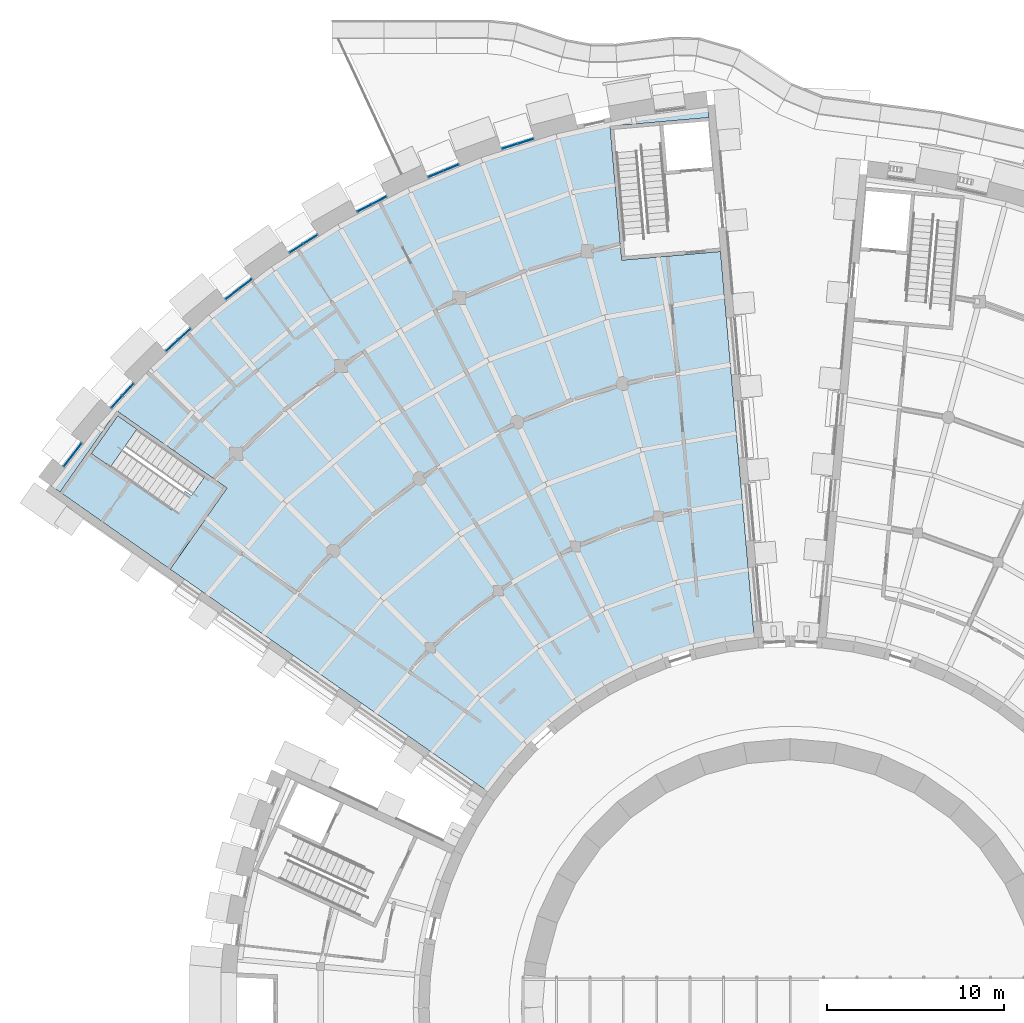
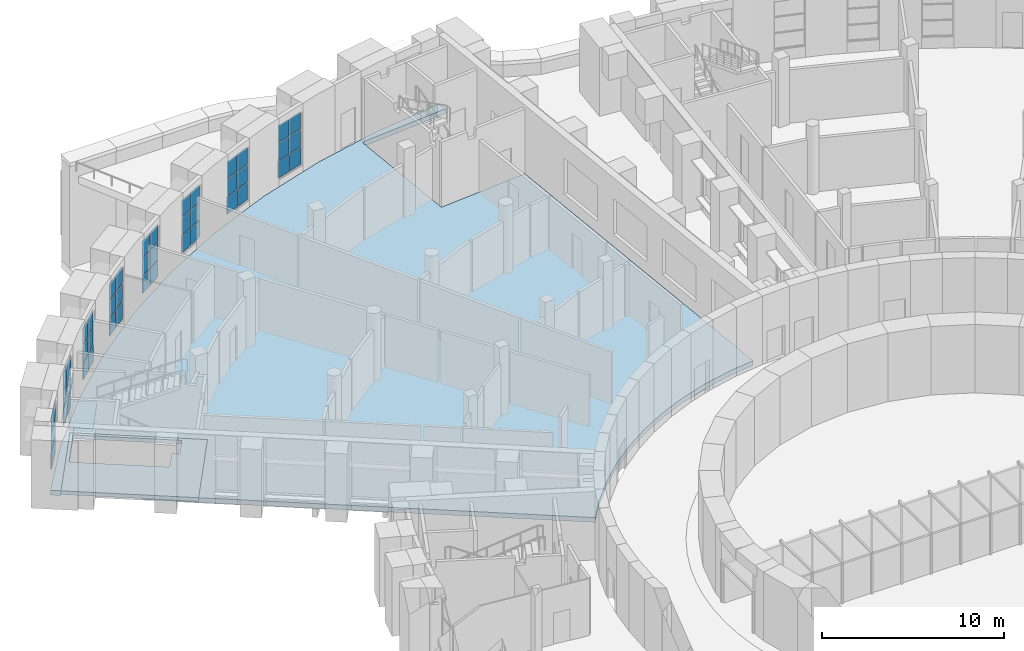
# One storey, part 36 of 85: 45 plates, 3 slabs, 9 elements without a shape of their own.
"""IFC4 building model written with IfcOpenShell, lengths in metres."""

from ifc_helpers import new_model, si_unit, direction, frame, origin, origin_2d, place, context, subcontext, project, spatial, polyline, rectangle, outline, extrude, material, layer, layer_set, type_object, element, aggregate, save


model = new_model("IFC4")

# Units and contexts
model_context = context("Model", 3, precision=1e-05, world=origin(), true_north=direction((0.0, 1.0)))
body_context = subcontext(model_context, "Body", "Model", "MODEL_VIEW")
ifc_project = project(units=[si_unit("LENGTHUNIT", "METRE"), si_unit("AREAUNIT", "SQUARE_METRE"), si_unit("VOLUMEUNIT", "CUBIC_METRE"), si_unit("PLANEANGLEUNIT", "RADIAN"), si_unit("MASSUNIT", "GRAM", prefix="KILO")], contexts=[model_context])

# Site, building, storey
site_placement = place(None, origin())
site = spatial("IfcSite", under=ifc_project, at=site_placement, CompositionType="ELEMENT")
building_placement = place(site_placement, origin())
building = spatial("IfcBuilding", under=site, at=building_placement, Name="Volute Hill Aquarium", CompositionType="ELEMENT")
storey_placement = place(building_placement, origin())
storey = spatial("IfcBuildingStorey", under=building, at=storey_placement, Name="L01", CompositionType="ELEMENT", Elevation=0.0)

# Slab
ifc_material_1 = material(Name="Concrete C30/37", Category="concrete")
ifc_layer_1 = layer(ifc_material_1, 0.25)
ifc_layer_set_1 = layer_set([ifc_layer_1], Name="Core floor slab 250")
slab_type_1 = type_object("IfcSlabType", Name="Core floor slab 250", PredefinedType="FLOOR", material=ifc_layer_set_1)
slab_1_placement = place(storey_placement, frame((0.0, 0.0, -0.25)))
element("IfcSlab", 1, at=slab_1_placement, inside=storey, type_object=slab_type_1, Name="cs/S6-B/L01", PredefinedType="FLOOR", context=body_context, shape_type="SweptSolid", body=[
    extrude(outline(polyline([(-31.81494140625, 29.357421875), (-38.040283203125, 33.716796875), (-41.25244140625, 29.12939453125), (-35.02685546875, 24.770263671875), (-31.81494140625, 29.357421875)]), holes=[polyline([(-34.936279296875, 28.125), (-39.482666015625, 31.308349609375), (-37.9912109375, 33.43798828125), (-33.077880859375, 29.997802734375), (-33.82373046875, 28.932861328125), (-34.190673828125, 29.18994140625), (-34.936279296875, 28.125)])]), origin(), (0.0, 0.0, 1.0), 0.25),
])

# Curtain wall, plates
ifc_material_2 = material(Name="Aluminium", Category="aluminium")
ifc_layer_2 = layer(ifc_material_2, 0.25)
ifc_layer_set_2 = layer_set([ifc_layer_2], Name="Curtain wall niche S6 module 967")
curtain_wall_type_1 = type_object("IfcCurtainWallType", Name="Curtain wall niche S6 module 967", PredefinedType="NOTDEFINED", material=ifc_layer_set_2)
curtain_wall_1_placement = place(storey_placement, origin())
curtain_wall_1 = element("IfcCurtainWall", 2, at=curtain_wall_1_placement, inside=storey, type_object=curtain_wall_type_1, Name="Curtain wall CW S6 L01 3", PredefinedType="NOTDEFINED")
ifc_material_3 = material(Name="Glass, low-iron laminated", Category="glass")
ifc_layer_3 = layer(ifc_material_3, 0.028076171875)
ifc_layer_set_3 = layer_set([ifc_layer_3], Name="Curtain wall glass panel S6 28")
plate_type_1 = type_object("IfcPlateType", Name="Curtain wall glass panel S6 28", PredefinedType="CURTAIN_PANEL", material=ifc_layer_set_3)
plate_1_placement = place(storey_placement, frame((-14.939697265625, 48.948974609375, 1.675048828125), z_axis=(0.0, 0.0, 1.0), x_axis=(-0.953716759337, -0.300706406582, 0.0)))
plate_1 = element("IfcPlate", 3, at=plate_1_placement, type_object=plate_type_1, Name="CW panel 1.2", PredefinedType="CURTAIN_PANEL", context=body_context, shape_type="SweptSolid", body=[
    extrude(rectangle(XDim=0.891845703125, YDim=0.028076171875, at=origin_2d()), origin(), (0.0, 0.0, 1.0), 1.14990234375),
])
plate_2_placement = place(storey_placement, frame((-14.939697265625, 48.948974609375, 2.875), z_axis=(0.0, 0.0, 1.0), x_axis=(-0.953716759337, -0.300706406582, 0.0)))
plate_2 = element("IfcPlate", 4, at=plate_2_placement, type_object=plate_type_1, Name="CW panel 1.3", PredefinedType="CURTAIN_PANEL", context=body_context, shape_type="SweptSolid", body=[
    extrude(rectangle(XDim=0.891845703125, YDim=0.028076171875, at=origin_2d()), origin(), (0.0, 0.0, 1.0), 1.125),
])
plate_3_placement = place(storey_placement, frame((-15.838134765625, 48.665771484375, 1.675048828125), z_axis=(0.0, 0.0, 1.0), x_axis=(-0.953716759337, -0.300706406582, 0.0)))
plate_3 = element("IfcPlate", 5, at=plate_3_placement, type_object=plate_type_1, Name="CW panel 2.2", PredefinedType="CURTAIN_PANEL", context=body_context, shape_type="SweptSolid", body=[
    extrude(rectangle(XDim=0.891845703125, YDim=0.028076171875, at=origin_2d()), origin(), (0.0, 0.0, 1.0), 1.14990234375),
])
plate_4_placement = place(storey_placement, frame((-15.838134765625, 48.665771484375, 2.875), z_axis=(0.0, 0.0, 1.0), x_axis=(-0.953716759337, -0.300706406582, 0.0)))
plate_4 = element("IfcPlate", 6, at=plate_4_placement, type_object=plate_type_1, Name="CW panel 2.3", PredefinedType="CURTAIN_PANEL", context=body_context, shape_type="SweptSolid", body=[
    extrude(rectangle(XDim=0.891845703125, YDim=0.028076171875, at=origin_2d()), origin(), (0.0, 0.0, 1.0), 1.125),
])

curtain_wall_2_placement = place(storey_placement, origin())
curtain_wall_2 = element("IfcCurtainWall", 7, at=curtain_wall_2_placement, inside=storey, type_object=curtain_wall_type_1, Name="Curtain wall CW S6 L01 4", PredefinedType="NOTDEFINED")
plate_5_placement = place(storey_placement, frame((-19.149169921875, 47.460693359375, 1.675048828125), z_axis=(0.0, 0.0, 1.0), x_axis=(-0.923881012069, -0.382679860378, 0.0)))
plate_5 = element("IfcPlate", 8, at=plate_5_placement, type_object=plate_type_1, Name="CW panel 1.2", PredefinedType="CURTAIN_PANEL", context=body_context, shape_type="SweptSolid", body=[
    extrude(rectangle(XDim=0.891845703125, YDim=0.028076171875, at=origin_2d()), origin(), (0.0, 0.0, 1.0), 1.14990234375),
])
plate_6_placement = place(storey_placement, frame((-19.149169921875, 47.460693359375, 2.875), z_axis=(0.0, 0.0, 1.0), x_axis=(-0.923881012069, -0.382679860378, 0.0)))
plate_6 = element("IfcPlate", 9, at=plate_6_placement, type_object=plate_type_1, Name="CW panel 1.3", PredefinedType="CURTAIN_PANEL", context=body_context, shape_type="SweptSolid", body=[
    extrude(rectangle(XDim=0.891845703125, YDim=0.028076171875, at=origin_2d()), origin(), (0.0, 0.0, 1.0), 1.125),
])
plate_7_placement = place(storey_placement, frame((-20.019287109375, 47.10009765625, 1.675048828125), z_axis=(0.0, 0.0, 1.0), x_axis=(-0.923881012069, -0.382679860378, 0.0)))
plate_7 = element("IfcPlate", 10, at=plate_7_placement, type_object=plate_type_1, Name="CW panel 2.2", PredefinedType="CURTAIN_PANEL", context=body_context, shape_type="SweptSolid", body=[
    extrude(rectangle(XDim=0.891845703125, YDim=0.028076171875, at=origin_2d()), origin(), (0.0, 0.0, 1.0), 1.14990234375),
])
plate_8_placement = place(storey_placement, frame((-20.019287109375, 47.10009765625, 2.875), z_axis=(0.0, 0.0, 1.0), x_axis=(-0.923881012069, -0.382679860378, 0.0)))
plate_8 = element("IfcPlate", 11, at=plate_8_placement, type_object=plate_type_1, Name="CW panel 2.3", PredefinedType="CURTAIN_PANEL", context=body_context, shape_type="SweptSolid", body=[
    extrude(rectangle(XDim=0.891845703125, YDim=0.028076171875, at=origin_2d()), origin(), (0.0, 0.0, 1.0), 1.125),
])

curtain_wall_3_placement = place(storey_placement, origin())
curtain_wall_3 = element("IfcCurtainWall", 12, at=curtain_wall_3_placement, inside=storey, type_object=curtain_wall_type_1, Name="Curtain wall CW S6 L01 5", PredefinedType="NOTDEFINED")
plate_9_placement = place(storey_placement, frame((-23.212646484375, 45.611083984375, 1.675048828125), z_axis=(0.0, 0.0, 1.0), x_axis=(-0.88700512397, -0.461759580356, 0.0)))
plate_9 = element("IfcPlate", 13, at=plate_9_placement, type_object=plate_type_1, Name="CW panel 1.2", PredefinedType="CURTAIN_PANEL", context=body_context, shape_type="SweptSolid", body=[
    extrude(rectangle(XDim=0.891845703125, YDim=0.028076171875, at=origin_2d()), origin(), (0.0, 0.0, 1.0), 1.14990234375),
])
plate_10_placement = place(storey_placement, frame((-23.212646484375, 45.611083984375, 2.875), z_axis=(0.0, 0.0, 1.0), x_axis=(-0.88700512397, -0.461759580356, 0.0)))
plate_10 = element("IfcPlate", 14, at=plate_10_placement, type_object=plate_type_1, Name="CW panel 1.3", PredefinedType="CURTAIN_PANEL", context=body_context, shape_type="SweptSolid", body=[
    extrude(rectangle(XDim=0.891845703125, YDim=0.028076171875, at=origin_2d()), origin(), (0.0, 0.0, 1.0), 1.125),
])
plate_11_placement = place(storey_placement, frame((-24.048095703125, 45.17626953125, 1.675048828125), z_axis=(0.0, 0.0, 1.0), x_axis=(-0.88700512397, -0.461759580356, 0.0)))
plate_11 = element("IfcPlate", 15, at=plate_11_placement, type_object=plate_type_1, Name="CW panel 2.2", PredefinedType="CURTAIN_PANEL", context=body_context, shape_type="SweptSolid", body=[
    extrude(rectangle(XDim=0.891845703125, YDim=0.028076171875, at=origin_2d()), origin(), (0.0, 0.0, 1.0), 1.14990234375),
])
plate_12_placement = place(storey_placement, frame((-24.048095703125, 45.17626953125, 2.875), z_axis=(0.0, 0.0, 1.0), x_axis=(-0.88700512397, -0.461759580356, 0.0)))
plate_12 = element("IfcPlate", 16, at=plate_12_placement, type_object=plate_type_1, Name="CW panel 2.3", PredefinedType="CURTAIN_PANEL", context=body_context, shape_type="SweptSolid", body=[
    extrude(rectangle(XDim=0.891845703125, YDim=0.028076171875, at=origin_2d()), origin(), (0.0, 0.0, 1.0), 1.125),
])

curtain_wall_4_placement = place(storey_placement, origin())
curtain_wall_4 = element("IfcCurtainWall", 17, at=curtain_wall_4_placement, inside=storey, type_object=curtain_wall_type_1, Name="Curtain wall CW S6 L01 6", PredefinedType="NOTDEFINED")
plate_13_placement = place(storey_placement, frame((-27.099609375, 43.414306640625, 1.675048828125), z_axis=(0.0, 0.0, 1.0), x_axis=(-0.843394579142, -0.537294689973, 0.0)))
plate_13 = element("IfcPlate", 18, at=plate_13_placement, type_object=plate_type_1, Name="CW panel 1.2", PredefinedType="CURTAIN_PANEL", context=body_context, shape_type="SweptSolid", body=[
    extrude(rectangle(XDim=0.891845703125, YDim=0.028076171875, at=origin_2d()), origin(), (0.0, 0.0, 1.0), 1.14990234375),
])
plate_14_placement = place(storey_placement, frame((-27.099609375, 43.414306640625, 2.875), z_axis=(0.0, 0.0, 1.0), x_axis=(-0.843394579142, -0.537294689973, 0.0)))
plate_14 = element("IfcPlate", 19, at=plate_14_placement, type_object=plate_type_1, Name="CW panel 1.3", PredefinedType="CURTAIN_PANEL", context=body_context, shape_type="SweptSolid", body=[
    extrude(rectangle(XDim=0.891845703125, YDim=0.028076171875, at=origin_2d()), origin(), (0.0, 0.0, 1.0), 1.125),
])
plate_15_placement = place(storey_placement, frame((-27.89404296875, 42.908203125, 1.675048828125), z_axis=(0.0, 0.0, 1.0), x_axis=(-0.843394579142, -0.537294689973, 0.0)))
plate_15 = element("IfcPlate", 20, at=plate_15_placement, type_object=plate_type_1, Name="CW panel 2.2", PredefinedType="CURTAIN_PANEL", context=body_context, shape_type="SweptSolid", body=[
    extrude(rectangle(XDim=0.891845703125, YDim=0.028076171875, at=origin_2d()), origin(), (0.0, 0.0, 1.0), 1.14990234375),
])
plate_16_placement = place(storey_placement, frame((-27.89404296875, 42.908203125, 2.875), z_axis=(0.0, 0.0, 1.0), x_axis=(-0.843394579142, -0.537294689973, 0.0)))
plate_16 = element("IfcPlate", 21, at=plate_16_placement, type_object=plate_type_1, Name="CW panel 2.3", PredefinedType="CURTAIN_PANEL", context=body_context, shape_type="SweptSolid", body=[
    extrude(rectangle(XDim=0.891845703125, YDim=0.028076171875, at=origin_2d()), origin(), (0.0, 0.0, 1.0), 1.125),
])

curtain_wall_5_placement = place(storey_placement, origin())
curtain_wall_5 = element("IfcCurtainWall", 22, at=curtain_wall_5_placement, inside=storey, type_object=curtain_wall_type_1, Name="Curtain wall CW S6 L01 7", PredefinedType="NOTDEFINED")
plate_17_placement = place(storey_placement, frame((-30.7802734375, 40.88720703125, 1.675048828125), z_axis=(0.0, 0.0, 1.0), x_axis=(-0.793347775493, -0.608768681127, 0.0)))
plate_17 = element("IfcPlate", 23, at=plate_17_placement, type_object=plate_type_1, Name="CW panel 1.2", PredefinedType="CURTAIN_PANEL", context=body_context, shape_type="SweptSolid", body=[
    extrude(rectangle(XDim=0.891845703125, YDim=0.028076171875, at=origin_2d()), origin(), (0.0, 0.0, 1.0), 1.14990234375),
])
plate_18_placement = place(storey_placement, frame((-30.7802734375, 40.88720703125, 2.875), z_axis=(0.0, 0.0, 1.0), x_axis=(-0.793347775493, -0.608768681127, 0.0)))
plate_18 = element("IfcPlate", 24, at=plate_18_placement, type_object=plate_type_1, Name="CW panel 1.3", PredefinedType="CURTAIN_PANEL", context=body_context, shape_type="SweptSolid", body=[
    extrude(rectangle(XDim=0.891845703125, YDim=0.028076171875, at=origin_2d()), origin(), (0.0, 0.0, 1.0), 1.125),
])
plate_19_placement = place(storey_placement, frame((-31.527587890625, 40.31396484375, 1.675048828125), z_axis=(0.0, 0.0, 1.0), x_axis=(-0.793347775493, -0.608768681127, 0.0)))
plate_19 = element("IfcPlate", 25, at=plate_19_placement, type_object=plate_type_1, Name="CW panel 2.2", PredefinedType="CURTAIN_PANEL", context=body_context, shape_type="SweptSolid", body=[
    extrude(rectangle(XDim=0.891845703125, YDim=0.028076171875, at=origin_2d()), origin(), (0.0, 0.0, 1.0), 1.14990234375),
])
plate_20_placement = place(storey_placement, frame((-31.527587890625, 40.31396484375, 2.875), z_axis=(0.0, 0.0, 1.0), x_axis=(-0.793347775493, -0.608768681127, 0.0)))
plate_20 = element("IfcPlate", 26, at=plate_20_placement, type_object=plate_type_1, Name="CW panel 2.3", PredefinedType="CURTAIN_PANEL", context=body_context, shape_type="SweptSolid", body=[
    extrude(rectangle(XDim=0.891845703125, YDim=0.028076171875, at=origin_2d()), origin(), (0.0, 0.0, 1.0), 1.125),
])

curtain_wall_6_placement = place(storey_placement, origin())
curtain_wall_6 = element("IfcCurtainWall", 27, at=curtain_wall_6_placement, inside=storey, type_object=curtain_wall_type_1, Name="Curtain wall CW S6 L01 8", PredefinedType="NOTDEFINED")
plate_21_placement = place(storey_placement, frame((-34.226806640625, 38.049072265625, 1.675048828125), z_axis=(0.0, 0.0, 1.0), x_axis=(-0.737284850624, -0.675582007635, 0.0)))
plate_21 = element("IfcPlate", 28, at=plate_21_placement, type_object=plate_type_1, Name="CW panel 1.2", PredefinedType="CURTAIN_PANEL", context=body_context, shape_type="SweptSolid", body=[
    extrude(rectangle(XDim=0.891845703125, YDim=0.028076171875, at=origin_2d()), origin(), (0.0, 0.0, 1.0), 1.14990234375),
])
plate_22_placement = place(storey_placement, frame((-34.226806640625, 38.049072265625, 2.875), z_axis=(0.0, 0.0, 1.0), x_axis=(-0.737284850624, -0.675582007635, 0.0)))
plate_22 = element("IfcPlate", 29, at=plate_22_placement, type_object=plate_type_1, Name="CW panel 1.3", PredefinedType="CURTAIN_PANEL", context=body_context, shape_type="SweptSolid", body=[
    extrude(rectangle(XDim=0.891845703125, YDim=0.028076171875, at=origin_2d()), origin(), (0.0, 0.0, 1.0), 1.125),
])
plate_23_placement = place(storey_placement, frame((-34.921142578125, 37.412841796875, 1.675048828125), z_axis=(0.0, 0.0, 1.0), x_axis=(-0.737284850624, -0.675582007635, 0.0)))
plate_23 = element("IfcPlate", 30, at=plate_23_placement, type_object=plate_type_1, Name="CW panel 2.2", PredefinedType="CURTAIN_PANEL", context=body_context, shape_type="SweptSolid", body=[
    extrude(rectangle(XDim=0.891845703125, YDim=0.028076171875, at=origin_2d()), origin(), (0.0, 0.0, 1.0), 1.14990234375),
])
plate_24_placement = place(storey_placement, frame((-34.921142578125, 37.412841796875, 2.875), z_axis=(0.0, 0.0, 1.0), x_axis=(-0.737284850624, -0.675582007635, 0.0)))
plate_24 = element("IfcPlate", 31, at=plate_24_placement, type_object=plate_type_1, Name="CW panel 2.3", PredefinedType="CURTAIN_PANEL", context=body_context, shape_type="SweptSolid", body=[
    extrude(rectangle(XDim=0.891845703125, YDim=0.028076171875, at=origin_2d()), origin(), (0.0, 0.0, 1.0), 1.125),
])

curtain_wall_7_placement = place(storey_placement, origin())
curtain_wall_7 = element("IfcCurtainWall", 32, at=curtain_wall_7_placement, inside=storey, type_object=curtain_wall_type_1, Name="Curtain wall CW S6 L01 9", PredefinedType="NOTDEFINED")
plate_25_placement = place(storey_placement, frame((-37.412841796875, 34.921142578125, 1.675048828125), z_axis=(0.0, 0.0, 1.0), x_axis=(-0.675582007635, -0.737284850624, 0.0)))
plate_25 = element("IfcPlate", 33, at=plate_25_placement, type_object=plate_type_1, Name="CW panel 1.2", PredefinedType="CURTAIN_PANEL", context=body_context, shape_type="SweptSolid", body=[
    extrude(rectangle(XDim=0.891845703125, YDim=0.028076171875, at=origin_2d()), origin(), (0.0, 0.0, 1.0), 1.14990234375),
])
plate_26_placement = place(storey_placement, frame((-37.412841796875, 34.921142578125, 2.875), z_axis=(0.0, 0.0, 1.0), x_axis=(-0.675582007635, -0.737284850624, 0.0)))
plate_26 = element("IfcPlate", 34, at=plate_26_placement, type_object=plate_type_1, Name="CW panel 1.3", PredefinedType="CURTAIN_PANEL", context=body_context, shape_type="SweptSolid", body=[
    extrude(rectangle(XDim=0.891845703125, YDim=0.028076171875, at=origin_2d()), origin(), (0.0, 0.0, 1.0), 1.125),
])
plate_27_placement = place(storey_placement, frame((-38.049072265625, 34.226806640625, 1.675048828125), z_axis=(0.0, 0.0, 1.0), x_axis=(-0.675582007635, -0.737284850624, 0.0)))
plate_27 = element("IfcPlate", 35, at=plate_27_placement, type_object=plate_type_1, Name="CW panel 2.2", PredefinedType="CURTAIN_PANEL", context=body_context, shape_type="SweptSolid", body=[
    extrude(rectangle(XDim=0.891845703125, YDim=0.028076171875, at=origin_2d()), origin(), (0.0, 0.0, 1.0), 1.14990234375),
])
plate_28_placement = place(storey_placement, frame((-38.049072265625, 34.226806640625, 2.875), z_axis=(0.0, 0.0, 1.0), x_axis=(-0.675582007635, -0.737284850624, 0.0)))
plate_28 = element("IfcPlate", 36, at=plate_28_placement, type_object=plate_type_1, Name="CW panel 2.3", PredefinedType="CURTAIN_PANEL", context=body_context, shape_type="SweptSolid", body=[
    extrude(rectangle(XDim=0.891845703125, YDim=0.028076171875, at=origin_2d()), origin(), (0.0, 0.0, 1.0), 1.125),
])

ifc_material_4 = material(Name="Aluminium", Category="aluminium")
ifc_layer_4 = layer(ifc_material_4, 0.25)
ifc_layer_set_4 = layer_set([ifc_layer_4], Name="Curtain wall niche S6 module 1734")
curtain_wall_type_2 = type_object("IfcCurtainWallType", Name="Curtain wall niche S6 module 1734", PredefinedType="NOTDEFINED", material=ifc_layer_set_4)
curtain_wall_8_placement = place(storey_placement, origin())
curtain_wall_8 = element("IfcCurtainWall", 37, at=curtain_wall_8_placement, inside=storey, type_object=curtain_wall_type_2, Name="Curtain wall CW S6 L01 10", PredefinedType="NOTDEFINED")
plate_29_placement = place(storey_placement, frame((-40.539794921875, 31.2333984375, 1.675048828125), z_axis=(0.0, 0.0, 1.0), x_axis=(-0.608766945394, -0.79334910739, 0.0)))
plate_29 = element("IfcPlate", 38, at=plate_29_placement, type_object=plate_type_1, Name="CW panel 1.2", PredefinedType="CURTAIN_PANEL", context=body_context, shape_type="SweptSolid", body=[
    extrude(rectangle(XDim=1.633544921875, YDim=0.028076171875, at=origin_2d()), origin(), (0.0, 0.0, 1.0), 1.14990234375),
])
plate_30_placement = place(storey_placement, frame((-40.539794921875, 31.2333984375, 2.875), z_axis=(0.0, 0.0, 1.0), x_axis=(-0.608766945394, -0.79334910739, 0.0)))
plate_30 = element("IfcPlate", 39, at=plate_30_placement, type_object=plate_type_1, Name="CW panel 1.3", PredefinedType="CURTAIN_PANEL", context=body_context, shape_type="SweptSolid", body=[
    extrude(rectangle(XDim=1.633544921875, YDim=0.028076171875, at=origin_2d()), origin(), (0.0, 0.0, 1.0), 1.125),
])

# Plate
ifc_material_5 = material(Name="Aluminium", Category="aluminium")
ifc_layer_5 = layer(ifc_material_5, 0.06005859375)
ifc_layer_set_5 = layer_set([ifc_layer_5], Name="Curtain wall insulated spandrel panel 60")
plate_type_2 = type_object("IfcPlateType", Name="Curtain wall insulated spandrel panel 60", PredefinedType="CURTAIN_PANEL", material=ifc_layer_set_5)
plate_31_placement = place(storey_placement, frame((-14.939697265625, 48.948974609375, 0.5), z_axis=(0.0, 0.0, 1.0), x_axis=(-0.953716759337, -0.300706406582, 0.0)))
plate_31 = element("IfcPlate", 40, at=plate_31_placement, type_object=plate_type_2, Name="CW panel 1.1", PredefinedType="CURTAIN_PANEL", context=body_context, shape_type="SweptSolid", body=[
    extrude(rectangle(XDim=0.891845703125, YDim=0.06005859375, at=origin_2d()), origin(), (0.0, 0.0, 1.0), 1.125),
])

plate_32_placement = place(storey_placement, frame((-15.838134765625, 48.665771484375, 0.5), z_axis=(0.0, 0.0, 1.0), x_axis=(-0.953716759337, -0.300706406582, 0.0)))
plate_32 = element("IfcPlate", 41, at=plate_32_placement, type_object=plate_type_2, Name="CW panel 2.1", PredefinedType="CURTAIN_PANEL", context=body_context, shape_type="SweptSolid", body=[
    extrude(rectangle(XDim=0.891845703125, YDim=0.06005859375, at=origin_2d()), origin(), (0.0, 0.0, 1.0), 1.125),
])

aggregate(curtain_wall_1, [plate_31, plate_1, plate_2, plate_32, plate_3, plate_4])

plate_33_placement = place(storey_placement, frame((-19.149169921875, 47.460693359375, 0.5), z_axis=(0.0, 0.0, 1.0), x_axis=(-0.923881012069, -0.382679860378, 0.0)))
plate_33 = element("IfcPlate", 42, at=plate_33_placement, type_object=plate_type_2, Name="CW panel 1.1", PredefinedType="CURTAIN_PANEL", context=body_context, shape_type="SweptSolid", body=[
    extrude(rectangle(XDim=0.891845703125, YDim=0.06005859375, at=origin_2d()), origin(), (0.0, 0.0, 1.0), 1.125),
])

plate_34_placement = place(storey_placement, frame((-20.019287109375, 47.10009765625, 0.5), z_axis=(0.0, 0.0, 1.0), x_axis=(-0.923881012069, -0.382679860378, 0.0)))
plate_34 = element("IfcPlate", 43, at=plate_34_placement, type_object=plate_type_2, Name="CW panel 2.1", PredefinedType="CURTAIN_PANEL", context=body_context, shape_type="SweptSolid", body=[
    extrude(rectangle(XDim=0.891845703125, YDim=0.06005859375, at=origin_2d()), origin(), (0.0, 0.0, 1.0), 1.125),
])

aggregate(curtain_wall_2, [plate_33, plate_5, plate_6, plate_34, plate_7, plate_8])

plate_35_placement = place(storey_placement, frame((-23.212646484375, 45.611083984375, 0.5), z_axis=(0.0, 0.0, 1.0), x_axis=(-0.88700512397, -0.461759580356, 0.0)))
plate_35 = element("IfcPlate", 44, at=plate_35_placement, type_object=plate_type_2, Name="CW panel 1.1", PredefinedType="CURTAIN_PANEL", context=body_context, shape_type="SweptSolid", body=[
    extrude(rectangle(XDim=0.891845703125, YDim=0.06005859375, at=origin_2d()), origin(), (0.0, 0.0, 1.0), 1.125),
])

plate_36_placement = place(storey_placement, frame((-24.048095703125, 45.17626953125, 0.5), z_axis=(0.0, 0.0, 1.0), x_axis=(-0.88700512397, -0.461759580356, 0.0)))
plate_36 = element("IfcPlate", 45, at=plate_36_placement, type_object=plate_type_2, Name="CW panel 2.1", PredefinedType="CURTAIN_PANEL", context=body_context, shape_type="SweptSolid", body=[
    extrude(rectangle(XDim=0.891845703125, YDim=0.06005859375, at=origin_2d()), origin(), (0.0, 0.0, 1.0), 1.125),
])

aggregate(curtain_wall_3, [plate_35, plate_9, plate_10, plate_36, plate_11, plate_12])

plate_37_placement = place(storey_placement, frame((-27.099609375, 43.414306640625, 0.5), z_axis=(0.0, 0.0, 1.0), x_axis=(-0.843394579142, -0.537294689973, 0.0)))
plate_37 = element("IfcPlate", 46, at=plate_37_placement, type_object=plate_type_2, Name="CW panel 1.1", PredefinedType="CURTAIN_PANEL", context=body_context, shape_type="SweptSolid", body=[
    extrude(rectangle(XDim=0.891845703125, YDim=0.06005859375, at=origin_2d()), origin(), (0.0, 0.0, 1.0), 1.125),
])

plate_38_placement = place(storey_placement, frame((-27.89404296875, 42.908203125, 0.5), z_axis=(0.0, 0.0, 1.0), x_axis=(-0.843394579142, -0.537294689973, 0.0)))
plate_38 = element("IfcPlate", 47, at=plate_38_placement, type_object=plate_type_2, Name="CW panel 2.1", PredefinedType="CURTAIN_PANEL", context=body_context, shape_type="SweptSolid", body=[
    extrude(rectangle(XDim=0.891845703125, YDim=0.06005859375, at=origin_2d()), origin(), (0.0, 0.0, 1.0), 1.125),
])

aggregate(curtain_wall_4, [plate_37, plate_13, plate_14, plate_38, plate_15, plate_16])

plate_39_placement = place(storey_placement, frame((-30.7802734375, 40.88720703125, 0.5), z_axis=(0.0, 0.0, 1.0), x_axis=(-0.793347775493, -0.608768681127, 0.0)))
plate_39 = element("IfcPlate", 48, at=plate_39_placement, type_object=plate_type_2, Name="CW panel 1.1", PredefinedType="CURTAIN_PANEL", context=body_context, shape_type="SweptSolid", body=[
    extrude(rectangle(XDim=0.891845703125, YDim=0.06005859375, at=origin_2d()), origin(), (0.0, 0.0, 1.0), 1.125),
])

plate_40_placement = place(storey_placement, frame((-31.527587890625, 40.31396484375, 0.5), z_axis=(0.0, 0.0, 1.0), x_axis=(-0.793347775493, -0.608768681127, 0.0)))
plate_40 = element("IfcPlate", 49, at=plate_40_placement, type_object=plate_type_2, Name="CW panel 2.1", PredefinedType="CURTAIN_PANEL", context=body_context, shape_type="SweptSolid", body=[
    extrude(rectangle(XDim=0.891845703125, YDim=0.06005859375, at=origin_2d()), origin(), (0.0, 0.0, 1.0), 1.125),
])

aggregate(curtain_wall_5, [plate_39, plate_17, plate_18, plate_40, plate_19, plate_20])

plate_41_placement = place(storey_placement, frame((-34.226806640625, 38.049072265625, 0.5), z_axis=(0.0, 0.0, 1.0), x_axis=(-0.737284850624, -0.675582007635, 0.0)))
plate_41 = element("IfcPlate", 50, at=plate_41_placement, type_object=plate_type_2, Name="CW panel 1.1", PredefinedType="CURTAIN_PANEL", context=body_context, shape_type="SweptSolid", body=[
    extrude(rectangle(XDim=0.891845703125, YDim=0.06005859375, at=origin_2d()), origin(), (0.0, 0.0, 1.0), 1.125),
])

plate_42_placement = place(storey_placement, frame((-34.921142578125, 37.412841796875, 0.5), z_axis=(0.0, 0.0, 1.0), x_axis=(-0.737284850624, -0.675582007635, 0.0)))
plate_42 = element("IfcPlate", 51, at=plate_42_placement, type_object=plate_type_2, Name="CW panel 2.1", PredefinedType="CURTAIN_PANEL", context=body_context, shape_type="SweptSolid", body=[
    extrude(rectangle(XDim=0.891845703125, YDim=0.06005859375, at=origin_2d()), origin(), (0.0, 0.0, 1.0), 1.125),
])

aggregate(curtain_wall_6, [plate_41, plate_21, plate_22, plate_42, plate_23, plate_24])

plate_43_placement = place(storey_placement, frame((-37.412841796875, 34.921142578125, 0.5), z_axis=(0.0, 0.0, 1.0), x_axis=(-0.675582007635, -0.737284850624, 0.0)))
plate_43 = element("IfcPlate", 52, at=plate_43_placement, type_object=plate_type_2, Name="CW panel 1.1", PredefinedType="CURTAIN_PANEL", context=body_context, shape_type="SweptSolid", body=[
    extrude(rectangle(XDim=0.891845703125, YDim=0.06005859375, at=origin_2d()), origin(), (0.0, 0.0, 1.0), 1.125),
])

plate_44_placement = place(storey_placement, frame((-38.049072265625, 34.226806640625, 0.5), z_axis=(0.0, 0.0, 1.0), x_axis=(-0.675582007635, -0.737284850624, 0.0)))
plate_44 = element("IfcPlate", 53, at=plate_44_placement, type_object=plate_type_2, Name="CW panel 2.1", PredefinedType="CURTAIN_PANEL", context=body_context, shape_type="SweptSolid", body=[
    extrude(rectangle(XDim=0.891845703125, YDim=0.06005859375, at=origin_2d()), origin(), (0.0, 0.0, 1.0), 1.125),
])

aggregate(curtain_wall_7, [plate_43, plate_25, plate_26, plate_44, plate_27, plate_28])

plate_45_placement = place(storey_placement, frame((-40.539794921875, 31.2333984375, 0.5), z_axis=(0.0, 0.0, 1.0), x_axis=(-0.608766945394, -0.79334910739, 0.0)))
plate_45 = element("IfcPlate", 54, at=plate_45_placement, type_object=plate_type_2, Name="CW panel 1.1", PredefinedType="CURTAIN_PANEL", context=body_context, shape_type="SweptSolid", body=[
    extrude(rectangle(XDim=1.633544921875, YDim=0.06005859375, at=origin_2d()), origin(), (0.0, 0.0, 1.0), 1.125),
])

aggregate(curtain_wall_8, [plate_45, plate_29, plate_30])

# Slab
ifc_material_6 = material(Name="Concrete C35/45", Category="concrete")
ifc_layer_6 = layer(ifc_material_6, 0.320068359375)
ifc_layer_set_6 = layer_set([ifc_layer_6], Name="Floor slab 320 C35/45")
slab_type_2 = type_object("IfcSlabType", Name="Floor slab 320 C35/45", PredefinedType="FLOOR", material=ifc_layer_set_6)
slab_2_placement = place(storey_placement, frame((0.0, 0.0, -0.320068359375)))
element("IfcSlab", 55, at=slab_2_placement, inside=storey, type_object=slab_type_2, Name="fl/S6/L01/1", PredefinedType="FLOOR", context=body_context, shape_type="SweptSolid", body=[
    extrude(outline(polyline([(-39.14501953125, 32.846435546875), (-36.13330078125, 36.13330078125), (-32.846435546875, 39.14501953125), (-29.309814453125, 41.858642578125), (-25.550048828125, 44.25390625), (-21.595703125, 46.312255859375), (-17.477294921875, 48.018310546875), (-13.2255859375, 49.35888671875), (-8.873291015625, 50.32373046875), (-4.652099609375, 50.87939453125), (-4.6005859375, 50.290283203125), (-10.17919921875, 49.80224609375), (-9.516845703125, 42.231201171875), (-3.938232421875, 42.71923828125), (-2.02880859375, 20.89404296875), (-3.646484375, 20.680908203125), (-5.435302734375, 20.284423828125), (-7.182373046875, 19.7333984375), (-8.875, 19.032470703125), (-10.5, 18.1865234375), (-12.045166015625, 17.2021484375), (-13.49853515625, 16.0869140625), (-14.84912109375, 14.84912109375), (-16.0869140625, 13.49853515625), (-17.080322265625, 12.203857421875), (-37.56396484375, 26.546630859375), (-35.02685546875, 24.770263671875), (-31.81494140625, 29.357421875), (-38.040283203125, 33.716796875), (-41.25244140625, 29.12939453125), (-41.73681640625, 29.468505859375), (-39.14501953125, 32.846435546875)])), origin(), (0.0, 0.0, 1.0), 0.320068359375),
])

# Stair, slab
ifc_material_7 = material(Name="Concrete C35/45", Category="concrete")
stair_type = type_object("IfcStairType", Name="Stair C35/45", PredefinedType="HALF_TURN_STAIR", material=ifc_material_7)
stair_placement = place(storey_placement, origin())
stair = element("IfcStair", 56, at=stair_placement, inside=storey, type_object=stair_type, Name="ST/S6-B/L01", PredefinedType="HALF_TURN_STAIR")
ifc_material_8 = material(Name="Concrete C35/45", Category="concrete")
ifc_layer_7 = layer(ifc_material_8, 0.199951171875)
ifc_layer_set_7 = layer_set([ifc_layer_7], Name="Stair landing C35/45 200")
slab_type_3 = type_object("IfcSlabType", Name="Stair landing C35/45 200", PredefinedType="LANDING", material=ifc_layer_set_7)
slab_3_placement = place(storey_placement, frame((0.0, 0.0, 2.10009765625)))
slab_3 = element("IfcSlab", 57, at=slab_3_placement, type_object=slab_type_3, Name="ST-S6-B-01 landing 1", PredefinedType="LANDING", context=body_context, shape_type="SweptSolid", body=[
    extrude(outline(polyline([(-36.908447265625, 32.679931640625), (-37.9912109375, 33.43798828125), (-39.482666015625, 31.308349609375), (-38.399658203125, 30.550048828125), (-36.908447265625, 32.679931640625)])), origin(), (0.0, 0.0, 1.0), 0.199951171875),
])
aggregate(stair, [slab_3])

save(model, "model.ifc")
